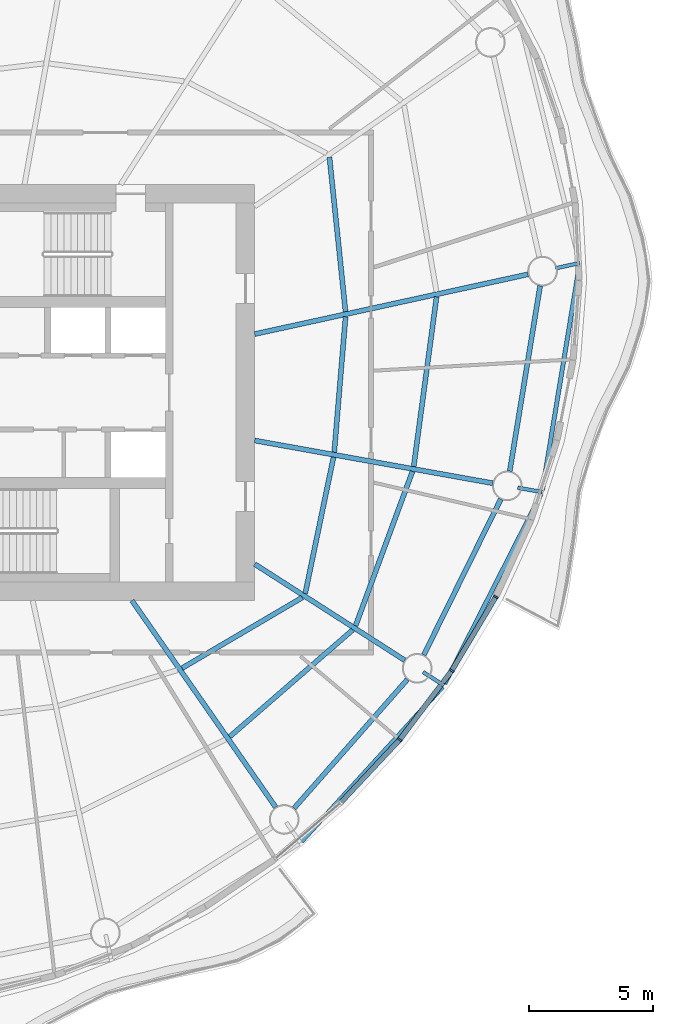
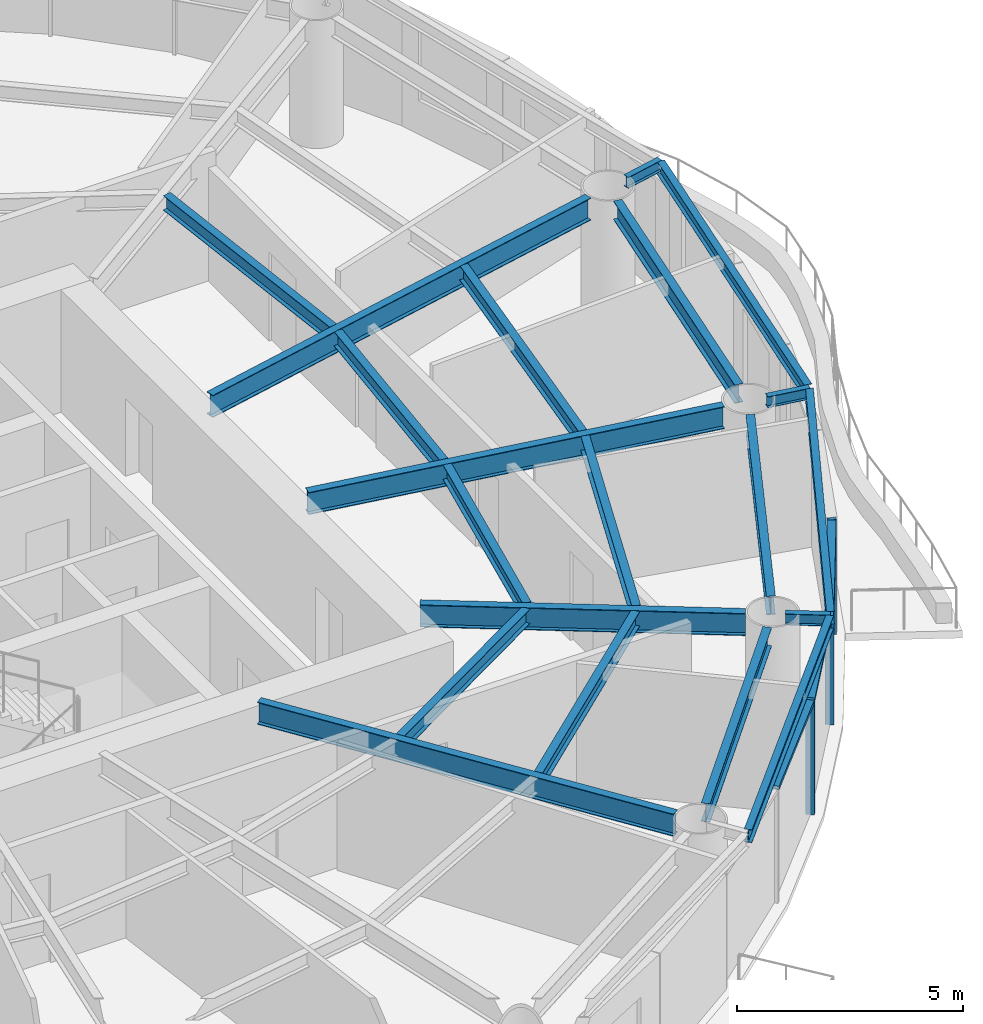
# One storey, part 4 of 14: 20 beams, 6 members, 3 elements without a shape of their own.
"""IFC4 building model written with IfcOpenShell, lengths in metres."""

from ifc_helpers import new_model, si_unit, direction, frame, origin, origin_2d, place, context, subcontext, project, spatial, rectangle, i_section, extrude, material, material_profile, profile_set, type_object, element, aggregate, save


model = new_model("IFC4")

# Units and contexts
model_context = context("Model", 3, precision=1e-05, world=origin(), true_north=direction((0.0, 1.0)))
body_context = subcontext(model_context, "Body", "Model", "MODEL_VIEW")
ifc_project = project(units=[si_unit("LENGTHUNIT", "METRE"), si_unit("AREAUNIT", "SQUARE_METRE"), si_unit("VOLUMEUNIT", "CUBIC_METRE"), si_unit("PLANEANGLEUNIT", "RADIAN"), si_unit("MASSUNIT", "GRAM", prefix="KILO")], contexts=[model_context])

# Site, building, storey
site_placement = place(None, origin())
site = spatial("IfcSite", under=ifc_project, at=site_placement, CompositionType="ELEMENT")
building_placement = place(site_placement, origin())
building = spatial("IfcBuilding", under=site, at=building_placement, Name="Vermilion Reach Broadcast Tower", CompositionType="ELEMENT")
storey_placement = place(building_placement, frame((0.0, 0.0, 231.699951171875)))
storey = spatial("IfcBuildingStorey", under=building, at=storey_placement, Name="L57", CompositionType="ELEMENT", Elevation=231.699951171875)

# Beams
ifc_material_1 = material(Name="Steel S355J2", Category="steel")
ifc_material_profile_1 = material_profile(ifc_material_1, i_section(OverallWidth=0.175048828125, OverallDepth=0.35009765625, WebThickness=0.007080078125, FlangeThickness=0.010986328125, at=origin_2d()), Name="S355J2 HN 350x175x7x11")
ifc_profile_set_1 = profile_set([ifc_material_profile_1], Name="Steel S355J2")
beam_type_1 = type_object("IfcBeamType", Name="EB4 HN 350x175x7x11", PredefinedType="BEAM", material=ifc_profile_set_1)
beam_1_placement = place(storey_placement, frame((6.701904296875, -18.123779296875, 3.275146484375), z_axis=(0.673639169186, 0.739060396543, 0.0), x_axis=(-0.739060396543, 0.673639169186, 0.0)))
element("IfcBeam", 1, at=beam_1_placement, inside=storey, type_object=beam_type_1, Name="Edge beam EB4-12", PredefinedType="BEAM", context=body_context, shape_type="SweptSolid", body=[
    extrude(i_section(OverallWidth=0.175048828125, OverallDepth=0.35009765625, WebThickness=0.007080078125, FlangeThickness=0.010986328125, at=origin_2d()), origin(), (0.0, 0.0, 1.0), 8.445068359375),
])
beam_2_placement = place(storey_placement, frame((12.476318359375, -11.7587890625, 3.275146484375), z_axis=(0.452688887946, 0.891668531872, 0.0), x_axis=(-0.891668531872, 0.452688887946, 0.0)))
element("IfcBeam", 2, at=beam_2_placement, inside=storey, type_object=beam_type_1, Name="Edge beam EB4-13", PredefinedType="BEAM", context=body_context, shape_type="SweptSolid", body=[
    extrude(i_section(OverallWidth=0.175048828125, OverallDepth=0.35009765625, WebThickness=0.007080078125, FlangeThickness=0.010986328125, at=origin_2d()), origin(), (0.0, 0.0, 1.0), 8.6015625),
])
beam_3_placement = place(storey_placement, frame((16.417724609375, -3.9453125, 3.275146484375), z_axis=(0.162302688441, 0.986741018365, 0.0), x_axis=(-0.986741018365, 0.162302688441, 0.0)))
element("IfcBeam", 3, at=beam_3_placement, inside=storey, type_object=beam_type_1, Name="Edge beam EB4-14", PredefinedType="BEAM", context=body_context, shape_type="SweptSolid", body=[
    extrude(i_section(OverallWidth=0.175048828125, OverallDepth=0.35009765625, WebThickness=0.007080078125, FlangeThickness=0.010986328125, at=origin_2d()), origin(), (0.0, 0.0, 1.0), 9.218017578125),
])
ifc_material_2 = material(Name="Steel S355J2", Category="steel")
ifc_material_profile_2 = material_profile(ifc_material_2, i_section(OverallWidth=0.199951171875, OverallDepth=0.60009765625, WebThickness=0.010986328125, FlangeThickness=0.01708984375, at=origin_2d()), Name="S355J2 HN 600x200x11x17")
ifc_profile_set_2 = profile_set([ifc_material_profile_2], Name="Steel S355J2")
beam_type_2 = type_object("IfcBeamType", Name="G4 HN 600x200x11x17", PredefinedType="BEAM", material=ifc_profile_set_2)
beam_4_placement = place(storey_placement, frame((-0.1552734375, -8.39990234375, 3.150146484375), z_axis=(0.571134149017, -0.8208567377, 0.0), x_axis=(0.8208567377, 0.571134149017, 0.0)))
element("IfcBeam", 4, at=beam_4_placement, inside=storey, type_object=beam_type_2, Name="Girder G4-12", PredefinedType="BEAM", context=body_context, shape_type="SweptSolid", body=[
    extrude(i_section(OverallWidth=0.199951171875, OverallDepth=0.60009765625, WebThickness=0.010986328125, FlangeThickness=0.01708984375, at=origin_2d()), origin(), (0.0, 0.0, 1.0), 10.16552734375),
])
beam_5_placement = place(storey_placement, frame((4.800048828125, -6.925537109375, 3.150146484375), z_axis=(0.841798504642, -0.539791883584, 0.0), x_axis=(0.539791883584, 0.841798504642, 0.0)))
element("IfcBeam", 5, at=beam_5_placement, inside=storey, type_object=beam_type_2, Name="Girder G4-13", PredefinedType="BEAM", context=body_context, shape_type="SweptSolid", body=[
    extrude(i_section(OverallWidth=0.199951171875, OverallDepth=0.60009765625, WebThickness=0.010986328125, FlangeThickness=0.01708984375, at=origin_2d()), origin(), (0.0, 0.0, 1.0), 7.1962890625),
])
beam_6_placement = place(storey_placement, frame((4.800048828125, -1.9375, 3.150146484375), z_axis=(0.984291153273, -0.176552897422, 0.0), x_axis=(0.176552897422, 0.984291153273, 0.0)))
element("IfcBeam", 6, at=beam_6_placement, inside=storey, type_object=beam_type_2, Name="Girder G4-14", PredefinedType="BEAM", context=body_context, shape_type="SweptSolid", body=[
    extrude(i_section(OverallWidth=0.199951171875, OverallDepth=0.60009765625, WebThickness=0.010986328125, FlangeThickness=0.01708984375, at=origin_2d()), origin(), (0.0, 0.0, 1.0), 9.765380859375),
])
beam_7_placement = place(storey_placement, frame((4.800048828125, 2.360595703125, 3.150146484375), z_axis=(0.976930175286, 0.213558967537, 0.0), x_axis=(-0.213558967537, 0.976930175286, 0.0)))
element("IfcBeam", 7, at=beam_7_placement, inside=storey, type_object=beam_type_2, Name="Girder G4-15", PredefinedType="BEAM", context=body_context, shape_type="SweptSolid", body=[
    extrude(i_section(OverallWidth=0.199951171875, OverallDepth=0.60009765625, WebThickness=0.010986328125, FlangeThickness=0.01708984375, at=origin_2d()), origin(), (0.0, 0.0, 1.0), 11.29833984375),
])
ifc_material_3 = material(Name="Steel S355J2", Category="steel")
ifc_material_profile_3 = material_profile(ifc_material_3, i_section(OverallWidth=0.14990234375, OverallDepth=0.300048828125, WebThickness=0.006591796875, FlangeThickness=0.009033203125, at=origin_2d()), Name="S355J2 HN 300x150x6.5x9")
ifc_profile_set_3 = profile_set([ifc_material_profile_3], Name="Steel S355J2")
beam_type_3 = type_object("IfcBeamType", Name="GS4 HN 300x150x6.5x9", PredefinedType="BEAM", material=ifc_profile_set_3)
for number, where, z_axis, x_axis, name in (
    (8, (11.600341796875, -11.2861328125, 3.300048828125), (0.841796649213, -0.539794777091, 0.0), (0.539794777091, 0.841796649213, 0.0), "Cantilever stub GS4-13"),
    (9, (15.421142578125, -3.8427734375, 3.300048828125), (0.984300581331, -0.176500327456, 0.0), (0.176500327456, 0.984300581331, 0.0), "Cantilever stub GS4-14"),
    (10, (16.949951171875, 5.0166015625, 3.300048828125), (0.976973219116, 0.213361967393, 0.0), (-0.213361967393, 0.976973219116, 0.0), "Cantilever stub GS4-15"),
):
    element("IfcBeam", number, at=place(storey_placement, frame(where, z_axis=z_axis, x_axis=x_axis)), inside=storey, type_object=beam_type_3, Name=name, PredefinedType="BEAM", context=body_context, shape_type="SweptSolid", body=[
        extrude(i_section(OverallWidth=0.14990234375, OverallDepth=0.300048828125, WebThickness=0.006591796875, FlangeThickness=0.009033203125, at=origin_2d()), origin(), (0.0, 0.0, 1.0), 1.0),
    ])
ifc_material_4 = material(Name="Steel S355J2", Category="steel")
ifc_material_profile_4 = material_profile(ifc_material_4, i_section(OverallWidth=0.199951171875, OverallDepth=0.5, WebThickness=0.010009765625, FlangeThickness=0.01611328125, at=origin_2d()), Name="S355J2 HN 500x200x10x16")
ifc_profile_set_4 = profile_set([ifc_material_profile_4], Name="Steel S355J2")
beam_type_4 = type_object("IfcBeamType", Name="RB4 HN 500x200x10x16", PredefinedType="BEAM", material=ifc_profile_set_4)
beam_8_placement = place(storey_placement, frame((6.3896484375, -16.786376953125, 3.199951171875), z_axis=(0.660565141761, 0.750768735024, 0.0), x_axis=(-0.750768735024, 0.660565141761, 0.0)))
element("IfcBeam", 11, at=beam_8_placement, inside=storey, type_object=beam_type_4, Name="Ring beam RB4-12", PredefinedType="BEAM", context=body_context, shape_type="SweptSolid", body=[
    extrude(i_section(OverallWidth=0.199951171875, OverallDepth=0.5, WebThickness=0.010009765625, FlangeThickness=0.01611328125, at=origin_2d()), origin(), (0.0, 0.0, 1.0), 6.9287109375),
])
beam_9_placement = place(storey_placement, frame((11.628662109375, -10.595947265625, 3.199951171875), z_axis=(0.442977497199, 0.896532730566, 0.0), x_axis=(-0.896532730566, 0.442977497199, 0.0)))
element("IfcBeam", 12, at=beam_9_placement, inside=storey, type_object=beam_type_4, Name="Ring beam RB4-13", PredefinedType="BEAM", context=body_context, shape_type="SweptSolid", body=[
    extrude(i_section(OverallWidth=0.199951171875, OverallDepth=0.5, WebThickness=0.010009765625, FlangeThickness=0.01611328125, at=origin_2d()), origin(), (0.0, 0.0, 1.0), 7.0166015625),
])
beam_10_placement = place(storey_placement, frame((15.099609375, -3.175537109375, 3.199951171875), z_axis=(0.161778110263, 0.986827159659, 0.0), x_axis=(-0.986827159659, 0.161778110263, 0.0)))
element("IfcBeam", 13, at=beam_10_placement, inside=storey, type_object=beam_type_4, Name="Ring beam RB4-14", PredefinedType="BEAM", context=body_context, shape_type="SweptSolid", body=[
    extrude(i_section(OverallWidth=0.199951171875, OverallDepth=0.5, WebThickness=0.010009765625, FlangeThickness=0.01611328125, at=origin_2d()), origin(), (0.0, 0.0, 1.0), 7.584716796875),
])
ifc_material_5 = material(Name="Steel S355J2", Category="steel")
ifc_material_profile_5 = material_profile(ifc_material_5, i_section(OverallWidth=0.199951171875, OverallDepth=0.39990234375, WebThickness=0.008056640625, FlangeThickness=0.012939453125, at=origin_2d()), Name="S355J2 HN 400x200x8x13")
ifc_profile_set_5 = profile_set([ifc_material_profile_5], Name="Steel S355J2")
beam_type_5 = type_object("IfcBeamType", Name="SB4 HN 400x200x8x13", PredefinedType="BEAM", material=ifc_profile_set_5)
beam_11_placement = place(storey_placement, frame((1.866455078125, -11.130615234375, 3.25), z_axis=(0.862172572268, 0.506614701356, 0.0), x_axis=(-0.506614701356, 0.862172572268, 0.0)))
element("IfcBeam", 14, at=beam_11_placement, inside=storey, type_object=beam_type_5, Name="Secondary beam SB4-12-1", PredefinedType="BEAM", context=body_context, shape_type="SweptSolid", body=[
    extrude(i_section(OverallWidth=0.199951171875, OverallDepth=0.39990234375, WebThickness=0.008056640625, FlangeThickness=0.012939453125, at=origin_2d()), origin(), (0.0, 0.0, 1.0), 5.632568359375),
])
beam_12_placement = place(storey_placement, frame((3.791259765625, -13.89697265625, 3.25), z_axis=(0.755129308567, 0.655575874589, 0.0), x_axis=(-0.655575874589, 0.755129308567, 0.0)))
element("IfcBeam", 15, at=beam_12_placement, inside=storey, type_object=beam_type_5, Name="Secondary beam SB4-12-2", PredefinedType="BEAM", context=body_context, shape_type="SweptSolid", body=[
    extrude(i_section(OverallWidth=0.199951171875, OverallDepth=0.39990234375, WebThickness=0.008056640625, FlangeThickness=0.012939453125, at=origin_2d()), origin(), (0.0, 0.0, 1.0), 6.57958984375),
])
beam_13_placement = place(storey_placement, frame((6.841064453125, -8.115478515625, 3.25), z_axis=(0.20320860258, 0.979135467562, 0.0), x_axis=(-0.979135467562, 0.20320860258, 0.0)))
element("IfcBeam", 16, at=beam_13_placement, inside=storey, type_object=beam_type_5, Name="Secondary beam SB4-13-1", PredefinedType="BEAM", context=body_context, shape_type="SweptSolid", body=[
    extrude(i_section(OverallWidth=0.199951171875, OverallDepth=0.39990234375, WebThickness=0.008056640625, FlangeThickness=0.012939453125, at=origin_2d()), origin(), (0.0, 0.0, 1.0), 5.622802734375),
])
beam_14_placement = place(storey_placement, frame((8.8740234375, -9.419189453125, 3.25), z_axis=(0.345833008621, 0.938296078084, 0.0), x_axis=(-0.938296078084, 0.345833008621, 0.0)))
element("IfcBeam", 17, at=beam_14_placement, inside=storey, type_object=beam_type_5, Name="Secondary beam SB4-13-2", PredefinedType="BEAM", context=body_context, shape_type="SweptSolid", body=[
    extrude(i_section(OverallWidth=0.199951171875, OverallDepth=0.39990234375, WebThickness=0.008056640625, FlangeThickness=0.012939453125, at=origin_2d()), origin(), (0.0, 0.0, 1.0), 6.647216796875),
])
beam_15_placement = place(storey_placement, frame((8.012451171875, -2.412109375, 3.25), z_axis=(0.08339866655, 0.996516262997, 0.0), x_axis=(-0.996516262997, 0.08339866655, 0.0)))
element("IfcBeam", 18, at=beam_15_placement, inside=storey, type_object=beam_type_5, Name="Secondary beam SB4-14-1", PredefinedType="BEAM", context=body_context, shape_type="SweptSolid", body=[
    extrude(i_section(OverallWidth=0.199951171875, OverallDepth=0.39990234375, WebThickness=0.008056640625, FlangeThickness=0.012939453125, at=origin_2d()), origin(), (0.0, 0.0, 1.0), 5.49169921875),
])
beam_16_placement = place(storey_placement, frame((11.221435546875, -2.98779296875, 3.25), z_axis=(0.133486718782, 0.991050602093, 0.0), x_axis=(-0.991050602093, 0.133486718782, 0.0)))
element("IfcBeam", 19, at=beam_16_placement, inside=storey, type_object=beam_type_5, Name="Secondary beam SB4-14-2", PredefinedType="BEAM", context=body_context, shape_type="SweptSolid", body=[
    extrude(i_section(OverallWidth=0.199951171875, OverallDepth=0.39990234375, WebThickness=0.008056640625, FlangeThickness=0.012939453125, at=origin_2d()), origin(), (0.0, 0.0, 1.0), 6.913330078125),
])
beam_17_placement = place(storey_placement, frame((8.46875, 3.264892578125, 3.25), z_axis=(-0.103532173355, 0.994626105167, 0.0), x_axis=(-0.994626105167, -0.103532173355, 0.0)))
element("IfcBeam", 20, at=beam_17_placement, inside=storey, type_object=beam_type_5, Name="Secondary beam SB4-15-1", PredefinedType="BEAM", context=body_context, shape_type="SweptSolid", body=[
    extrude(i_section(OverallWidth=0.199951171875, OverallDepth=0.39990234375, WebThickness=0.008056640625, FlangeThickness=0.012939453125, at=origin_2d()), origin(), (0.0, 0.0, 1.0), 6.26318359375),
])

# Curtain wall, member
ifc_material_6 = material(Name="Low-e laminated clear glass in aluminium frame", Category="aluminium")
curtain_wall_type = type_object("IfcCurtainWallType", Name="Slot curtain wall", PredefinedType="NOTDEFINED", material=ifc_material_6)
placement = place(storey_placement, origin())
curtain_wall_1 = element("IfcCurtainWall", 21, at=placement, inside=storey, type_object=curtain_wall_type, Name="Slot curtain wall L57 36", PredefinedType="NOTDEFINED")
ifc_material_7 = material(Name="Anodised aluminium", Category="aluminium")
ifc_material_profile_6 = material_profile(ifc_material_7, rectangle(XDim=0.199951171875, YDim=0.080078125, at=origin_2d()), Name="Slot mullion 80 x 200")
ifc_profile_set_6 = profile_set([ifc_material_profile_6], Name="Anodised aluminium")
member_type_1 = type_object("IfcMemberType", Name="Slot mullion 80 x 200", PredefinedType="MULLION", material=ifc_profile_set_6)
member_1_placement = place(storey_placement, frame((10.656982421875, -14.0166015625, 0.0), z_axis=(0.0, 0.0, 1.0), x_axis=(-0.765146174737, 0.643856607705, 0.0)))
member_1 = element("IfcMember", 22, at=member_1_placement, type_object=member_type_1, Name="Slot mullion L57 36", PredefinedType="MULLION", context=body_context, shape_type="SweptSolid", body=[
    extrude(rectangle(XDim=0.199951171875, YDim=0.080078125, at=origin_2d()), origin(), (0.0, 0.0, 1.0), 3.10009765625),
])

# Curtain wall, members
curtain_wall_2 = element("IfcCurtainWall", 23, at=placement, inside=storey, type_object=curtain_wall_type, Name="Slot curtain wall L57 37", PredefinedType="NOTDEFINED")
member_2_placement = place(storey_placement, frame((12.756591796875, -11.23095703125, 0.0), z_axis=(0.0, 0.0, 1.0), x_axis=(-0.829875233328, 0.557949009417, 0.0)))
member_2 = element("IfcMember", 24, at=member_2_placement, type_object=member_type_1, Name="Slot mullion L57 37", PredefinedType="MULLION", context=body_context, shape_type="SweptSolid", body=[
    extrude(rectangle(XDim=0.199951171875, YDim=0.080078125, at=origin_2d()), origin(), (0.0, 0.0, 1.0), 3.10009765625),
])
member_3_placement = place(storey_placement, frame((14.53369140625, -8.25244140625, 0.0), z_axis=(0.0, 0.0, 1.0), x_axis=(-0.885563839979, 0.464517691075, 0.0)))
member_3 = element("IfcMember", 25, at=member_3_placement, type_object=member_type_1, Name="Slot mullion L57 38", PredefinedType="MULLION", context=body_context, shape_type="SweptSolid", body=[
    extrude(rectangle(XDim=0.199951171875, YDim=0.080078125, at=origin_2d()), origin(), (0.0, 0.0, 1.0), 3.10009765625),
])

# Curtain wall, member
curtain_wall_3 = element("IfcCurtainWall", 26, at=placement, inside=storey, type_object=curtain_wall_type, Name="Slot curtain wall L57 35", PredefinedType="NOTDEFINED")
ifc_material_8 = material(Name="Anodised aluminium", Category="aluminium")
ifc_material_profile_7 = material_profile(ifc_material_8, rectangle(XDim=0.199951171875, YDim=0.10009765625, at=origin_2d()), Name="Slot transom 200 x 100")
ifc_profile_set_7 = profile_set([ifc_material_profile_7], Name="Anodised aluminium")
member_type_2 = type_object("IfcMemberType", Name="Slot transom 200 x 100", PredefinedType="USERDEFINED", material=ifc_profile_set_7)
member_4_placement = place(storey_placement, frame((8.298583984375, -16.5322265625, 3.050048828125), z_axis=(0.683924449754, 0.729552840464, 0.0), x_axis=(-0.729552840464, 0.683924449754, 0.0)))
member_4 = element("IfcMember", 27, at=member_4_placement, type_object=member_type_2, Name="Slot transom L57 35.1", ObjectType="TRANSOM", PredefinedType="USERDEFINED", context=body_context, shape_type="SweptSolid", body=[
    extrude(rectangle(XDim=0.199951171875, YDim=0.10009765625, at=origin_2d()), origin(), (0.0, 0.0, 1.0), 3.408447265625),
])
aggregate(curtain_wall_3, [member_4])

# Member
member_5_placement = place(storey_placement, frame((10.68115234375, -13.984619140625, 3.050048828125), z_axis=(0.6018780486, 0.798588013067, 0.0), x_axis=(-0.798588013067, 0.6018780486, 0.0)))
member_5 = element("IfcMember", 28, at=member_5_placement, type_object=member_type_2, Name="Slot transom L57 36.1", ObjectType="TRANSOM", PredefinedType="USERDEFINED", context=body_context, shape_type="SweptSolid", body=[
    extrude(rectangle(XDim=0.199951171875, YDim=0.10009765625, at=origin_2d()), origin(), (0.0, 0.0, 1.0), 3.408203125),
])

aggregate(curtain_wall_1, [member_1, member_5])

member_6_placement = place(storey_placement, frame((12.777099609375, -11.196533203125, 3.050048828125), z_axis=(0.51238552145, 0.858755539958, 0.0), x_axis=(-0.858755539958, 0.51238552145, 0.0)))
member_6 = element("IfcMember", 29, at=member_6_placement, type_object=member_type_2, Name="Slot transom L57 37.1", ObjectType="TRANSOM", PredefinedType="USERDEFINED", context=body_context, shape_type="SweptSolid", body=[
    extrude(rectangle(XDim=0.199951171875, YDim=0.10009765625, at=origin_2d()), origin(), (0.0, 0.0, 1.0), 3.38818359375),
])

aggregate(curtain_wall_2, [member_2, member_3, member_6])

save(model, "model.ifc")
